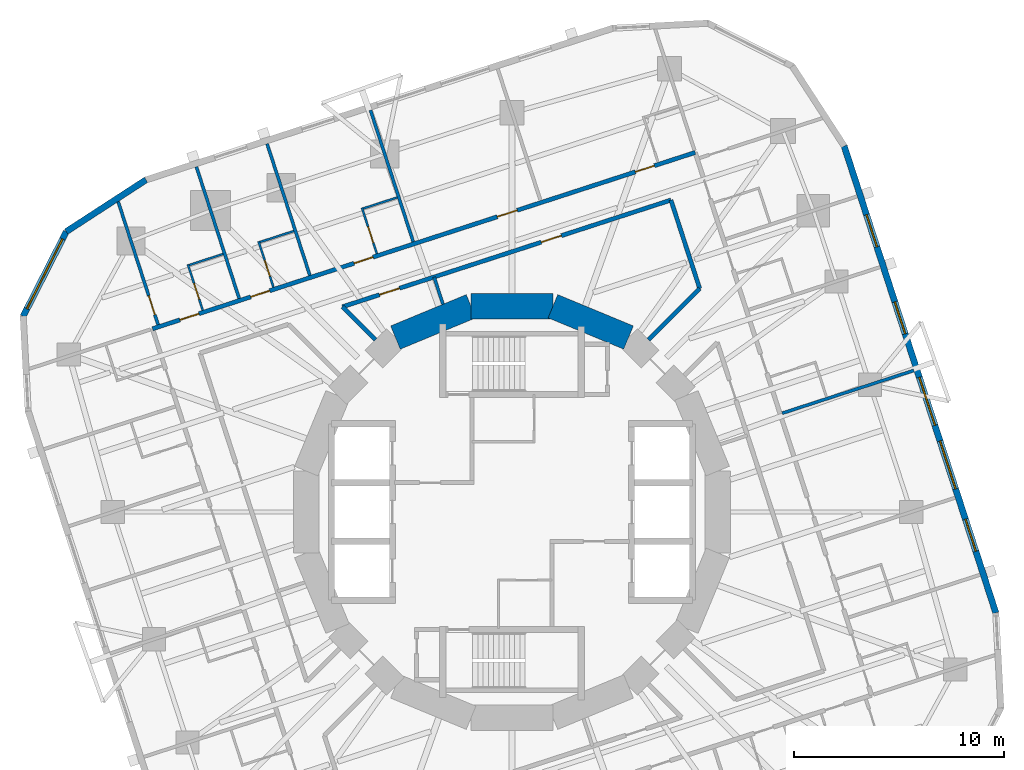
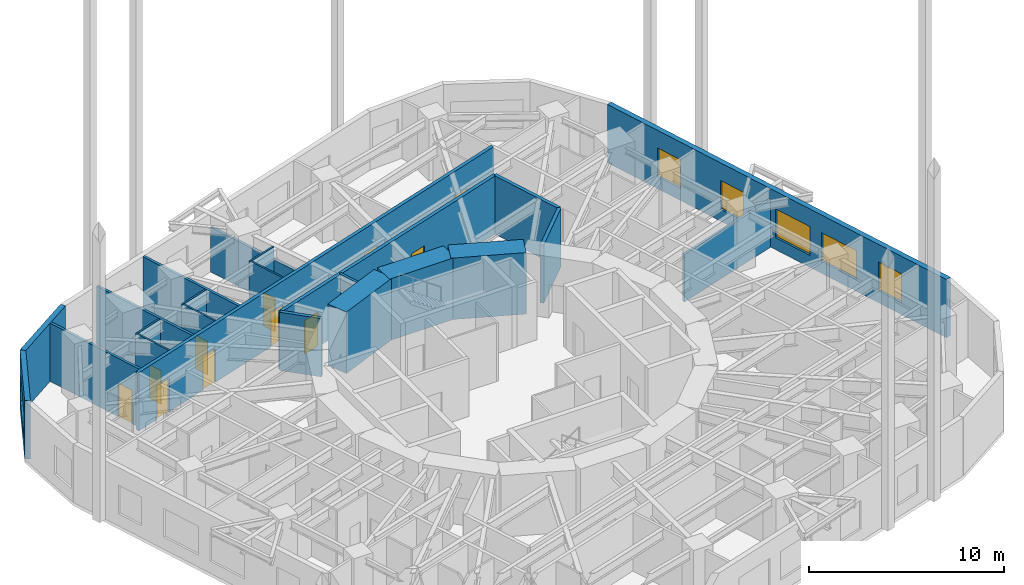
# One storey, part 8 of 10: 23 walls, 11 doors, 6 windows, 17 openings.
"""IFC4 building model written with IfcOpenShell, lengths in metres."""

from ifc_helpers import new_model, si_unit, direction, frame, frame_2d, origin, place, context, subcontext, project, spatial, rectangle, extrude, material, layer, layer_set, type_object, element, fill, save


model = new_model("IFC4")

# Units and contexts
model_context = context("Model", 3, precision=1e-05, world=origin(), true_north=direction((0.0, 1.0)))
body_context = subcontext(model_context, "Body", "Model", "MODEL_VIEW")
ifc_project = project(units=[si_unit("LENGTHUNIT", "METRE"), si_unit("AREAUNIT", "SQUARE_METRE"), si_unit("VOLUMEUNIT", "CUBIC_METRE"), si_unit("PLANEANGLEUNIT", "RADIAN"), si_unit("MASSUNIT", "GRAM", prefix="KILO")], contexts=[model_context])

# Site, building, storey
site_placement = place(None, origin())
site = spatial("IfcSite", under=ifc_project, at=site_placement, CompositionType="ELEMENT")
building_placement = place(site_placement, origin())
building = spatial("IfcBuilding", under=site, at=building_placement, Name="Nakasero Lantern House", CompositionType="ELEMENT")
storey_placement = place(building_placement, frame((0.0, 0.0, 141.800048828125)))
storey = spatial("IfcBuildingStorey", under=building, at=storey_placement, Name="L34", CompositionType="ELEMENT", Elevation=141.800048828125)

# Walls
ifc_material_1 = material(Name="Concrete C50/60", Category="concrete")
ifc_layer_1 = layer(ifc_material_1, 1.199951171875)
ifc_layer_set_1 = layer_set([ifc_layer_1], Name="Core wall 1200")
wall_type_1 = type_object("IfcWallType", Name="Core wall 1200", PredefinedType="SHEAR", material=ifc_layer_set_1)
for number, where, z_axis, x_axis, name in (
    (1, (5.5556640625, 8.314697265625, 0.0), (0.0, 0.0, 1.0), (-0.923876507187, 0.382690736062, 0.0), "Core wall L34 facet 3"),
    (2, (1.950927734375, 9.807861328125, 0.0), (0.0, 0.0, 1.0), (-1.0, 0.0, 0.0), "Core wall L34 facet 4"),
    (3, (-1.950927734375, 9.807861328125, 0.0), (0.0, 0.0, 1.0), (-0.923876507187, -0.382690736062, 0.0), "Core wall L34 facet 5"),
):
    element("IfcWall", number, at=place(storey_placement, frame(where, z_axis=z_axis, x_axis=x_axis)), inside=storey, type_object=wall_type_1, Name=name, PredefinedType="SHEAR", context=body_context, shape_type="SweptSolid", body=[
        extrude(rectangle(XDim=3.90185546875, YDim=1.199951171875, at=frame_2d((1.950927734375, 0.0))), origin(), (0.0, 0.0, 1.0), 3.849853515625),
    ])

# Wall, openings, doors
ifc_material_2 = material(Name="Blockwork", Category="masonry")
ifc_layer_2 = layer(ifc_material_2, 0.199951171875)
ifc_layer_set_2 = layer_set([ifc_layer_2], Name="Corridor wall 200")
wall_type_2 = type_object("IfcWallType", Name="Corridor wall 200", PredefinedType="PARTITIONING", material=ifc_layer_set_2)
wall_1_placement = place(storey_placement, frame((8.731689453125, 17.136962890625, 0.0), z_axis=(0.0, 0.0, 1.0), x_axis=(-0.951056097323, -0.309018283835, 0.0)))
wall_1 = element("IfcWall", 4, at=wall_1_placement, inside=storey, type_object=wall_type_2, Name="Corridor wall L34 CW1", PredefinedType="PARTITIONING", context=body_context, shape_type="SweptSolid", body=[
    extrude(rectangle(XDim=27.199951171875, YDim=0.199951171875, at=frame_2d((13.60009765625, 0.0))), origin(), (0.0, 0.0, 1.0), 3.64990234375),
])
opening_1_placement = place(wall_1_placement, frame((2.050048828125, 0.0, 0.0)))
opening_1 = element("IfcOpeningElement", 5, at=opening_1_placement, cuts=wall_1, Name="Opening D01", PredefinedType="OPENING", context=body_context, shape_type="SweptSolid", body=[
    extrude(rectangle(XDim=0.949951171875, YDim=2.10009765625, at=frame_2d((0.47509765625, 1.050048828125))), frame((0.0, 0.119873046875, 0.0), z_axis=(0.0, -1.0, 0.0), x_axis=(1.0, 0.0, 0.0)), (0.0, 0.0, 1.0), 0.239990234375),
])
opening_2_placement = place(wall_1_placement, frame((16.14697265625, 0.0, 0.0)))
opening_2 = element("IfcOpeningElement", 6, at=opening_2_placement, cuts=wall_1, Name="Opening D01", PredefinedType="OPENING", context=body_context, shape_type="SweptSolid", body=[
    extrude(rectangle(XDim=0.949951171875, YDim=2.10009765625, at=frame_2d((0.47509765625, 1.050048828125))), frame((0.0, 0.119873046875, 0.0), z_axis=(0.0, -1.0, 0.0), x_axis=(1.0, 0.0, 0.0)), (0.0, 0.0, 1.0), 0.239990234375),
])
opening_3_placement = place(wall_1_placement, frame((21.328125, 0.0, 0.0)))
opening_3 = element("IfcOpeningElement", 7, at=opening_3_placement, cuts=wall_1, Name="Opening D01", PredefinedType="OPENING", context=body_context, shape_type="SweptSolid", body=[
    extrude(rectangle(XDim=0.949951171875, YDim=2.10009765625, at=frame_2d((0.47509765625, 1.050048828125))), frame((0.0, 0.119873046875, 0.0), z_axis=(0.0, -1.0, 0.0), x_axis=(1.0, 0.0, 0.0)), (0.0, 0.0, 1.0), 0.239990234375),
])
opening_4_placement = place(wall_1_placement, frame((24.872314453125, 0.0, 0.0)))
opening_4 = element("IfcOpeningElement", 8, at=opening_4_placement, cuts=wall_1, Name="Opening D01", PredefinedType="OPENING", context=body_context, shape_type="SweptSolid", body=[
    extrude(rectangle(XDim=0.949951171875, YDim=2.10009765625, at=frame_2d((0.47509765625, 1.050048828125))), frame((0.0, 0.119873046875, 0.0), z_axis=(0.0, -1.0, 0.0), x_axis=(1.0, 0.0, 0.0)), (0.0, 0.0, 1.0), 0.239990234375),
])
opening_5_placement = place(wall_1_placement, frame((8.9189453125, 0.0, 0.0)))
opening_5 = element("IfcOpeningElement", 9, at=opening_5_placement, cuts=wall_1, Name="Opening D03", PredefinedType="OPENING", context=body_context, shape_type="SweptSolid", body=[
    extrude(rectangle(XDim=1.0, YDim=2.10009765625, at=frame_2d((0.5, 1.050048828125))), frame((0.0, 0.119873046875, 0.0), z_axis=(0.0, -1.0, 0.0), x_axis=(1.0, 0.0, 0.0)), (0.0, 0.0, 1.0), 0.239990234375),
])
ifc_material_3 = material(Name="Timber C24", Category="wood")
door_type_1 = type_object("IfcDoorType", Name="Bedroom door FD30S 950", OperationType="SINGLE_SWING_LEFT", PredefinedType="DOOR", material=ifc_material_3)
door_1_placement = place(opening_1_placement, origin())
door_1 = element("IfcDoor", 10, at=door_1_placement, inside=storey, type_object=door_type_1, Name="Door L34 D1-00", OperationType="SINGLE_SWING_LEFT", OverallHeight=2.10009765625, OverallWidth=0.949951171875, PredefinedType="DOOR", context=body_context, shape_type="SweptSolid", body=[
    extrude(rectangle(XDim=0.949951171875, YDim=2.10009765625, at=frame_2d((0.47509765625, 1.050048828125))), frame((0.0, 0.02490234375, 0.0), z_axis=(0.0, -1.0, 0.0), x_axis=(1.0, 0.0, 0.0)), (0.0, 0.0, 1.0), 0.050048828125),
])
fill(opening_1, door_1)
door_2_placement = place(opening_2_placement, origin())
door_2 = element("IfcDoor", 11, at=door_2_placement, inside=storey, type_object=door_type_1, Name="Door L34 D1-04", OperationType="SINGLE_SWING_RIGHT", OverallHeight=2.10009765625, OverallWidth=0.949951171875, PredefinedType="DOOR", context=body_context, shape_type="SweptSolid", body=[
    extrude(rectangle(XDim=0.949951171875, YDim=2.10009765625, at=frame_2d((0.47509765625, 1.050048828125))), frame((0.0, 0.02490234375, 0.0), z_axis=(0.0, -1.0, 0.0), x_axis=(1.0, 0.0, 0.0)), (0.0, 0.0, 1.0), 0.050048828125),
])
fill(opening_2, door_2)
door_3_placement = place(opening_3_placement, origin())
door_3 = element("IfcDoor", 12, at=door_3_placement, inside=storey, type_object=door_type_1, Name="Door L34 D1-05", OperationType="SINGLE_SWING_RIGHT", OverallHeight=2.10009765625, OverallWidth=0.949951171875, PredefinedType="DOOR", context=body_context, shape_type="SweptSolid", body=[
    extrude(rectangle(XDim=0.949951171875, YDim=2.10009765625, at=frame_2d((0.47509765625, 1.050048828125))), frame((0.0, 0.02490234375, 0.0), z_axis=(0.0, -1.0, 0.0), x_axis=(1.0, 0.0, 0.0)), (0.0, 0.0, 1.0), 0.050048828125),
])
fill(opening_3, door_3)
door_4_placement = place(opening_4_placement, origin())
door_4 = element("IfcDoor", 13, at=door_4_placement, inside=storey, type_object=door_type_1, Name="Door L34 D1-06", OperationType="SINGLE_SWING_RIGHT", OverallHeight=2.10009765625, OverallWidth=0.949951171875, PredefinedType="DOOR", context=body_context, shape_type="SweptSolid", body=[
    extrude(rectangle(XDim=0.949951171875, YDim=2.10009765625, at=frame_2d((0.47509765625, 1.050048828125))), frame((0.0, 0.02490234375, 0.0), z_axis=(0.0, -1.0, 0.0), x_axis=(1.0, 0.0, 0.0)), (0.0, 0.0, 1.0), 0.050048828125),
])
fill(opening_4, door_4)
ifc_material_4 = material(Name="Timber C24", Category="wood")
door_type_2 = type_object("IfcDoorType", Name="Lounge door FD30S 1000", OperationType="SINGLE_SWING_LEFT", PredefinedType="DOOR", material=ifc_material_4)
door_5_placement = place(opening_5_placement, origin())
door_5 = element("IfcDoor", 14, at=door_5_placement, inside=storey, type_object=door_type_2, Name="Door L34 DK1", OperationType="SINGLE_SWING_LEFT", OverallHeight=2.10009765625, OverallWidth=1.0, PredefinedType="DOOR", context=body_context, shape_type="SweptSolid", body=[
    extrude(rectangle(XDim=1.0, YDim=2.10009765625, at=frame_2d((0.5, 1.050048828125))), frame((0.0, 0.02490234375, 0.0), z_axis=(0.0, -1.0, 0.0), x_axis=(1.0, 0.0, 0.0)), (0.0, 0.0, 1.0), 0.050048828125),
])
fill(opening_5, door_5)

# Wall
wall_2_placement = place(storey_placement, frame((8.9482421875, 10.6455078125, 0.0), z_axis=(0.0, 0.0, 1.0), x_axis=(-0.308977916351, 0.951069212627, 0.0)))
element("IfcWall", 15, at=wall_2_placement, inside=storey, type_object=wall_type_2, Name="Corridor wall L34 IW0-1", PredefinedType="PARTITIONING", context=body_context, shape_type="SweptSolid", body=[
    extrude(rectangle(XDim=4.440673828125, YDim=0.199951171875, at=frame_2d((2.22021484375, 0.0))), origin(), (0.0, 0.0, 1.0), 3.64990234375),
])

# Wall, openings, doors
wall_3_placement = place(storey_placement, frame((7.576171875, 14.868896484375, 0.0), z_axis=(0.0, 0.0, 1.0), x_axis=(-0.951057928473, -0.309012648104, 0.0)))
wall_3 = element("IfcWall", 16, at=wall_3_placement, inside=storey, type_object=wall_type_2, Name="Corridor wall L34 IW1-0", PredefinedType="PARTITIONING", context=body_context, shape_type="SweptSolid", body=[
    extrude(rectangle(XDim=16.4658203125, YDim=0.199951171875, at=frame_2d((8.23291015625, 0.0))), origin(), (0.0, 0.0, 1.0), 3.64990234375),
])
opening_6_placement = place(wall_3_placement, frame((5.49755859375, 0.0, 0.0)))
opening_6 = element("IfcOpeningElement", 17, at=opening_6_placement, cuts=wall_3, Name="Opening D07", PredefinedType="OPENING", context=body_context, shape_type="SweptSolid", body=[
    extrude(rectangle(XDim=1.0, YDim=2.10009765625, at=frame_2d((0.5, 1.050048828125))), frame((0.0, 0.119873046875, 0.0), z_axis=(0.0, -1.0, 0.0), x_axis=(1.0, 0.0, 0.0)), (0.0, 0.0, 1.0), 0.239990234375),
])
opening_7_placement = place(wall_3_placement, frame((13.605224609375, 0.0, 0.0)))
opening_7 = element("IfcOpeningElement", 18, at=opening_7_placement, cuts=wall_3, Name="Opening D07", PredefinedType="OPENING", context=body_context, shape_type="SweptSolid", body=[
    extrude(rectangle(XDim=1.0, YDim=2.10009765625, at=frame_2d((0.5, 1.050048828125))), frame((0.0, 0.119873046875, 0.0), z_axis=(0.0, -1.0, 0.0), x_axis=(1.0, 0.0, 0.0)), (0.0, 0.0, 1.0), 0.239990234375),
])
ifc_material_5 = material(Name="Timber C24", Category="wood")
door_type_3 = type_object("IfcDoorType", Name="Room door FD30S 1000", OperationType="SINGLE_SWING_LEFT", PredefinedType="DOOR", material=ifc_material_5)
door_6_placement = place(opening_6_placement, origin())
door_6 = element("IfcDoor", 19, at=door_6_placement, inside=storey, type_object=door_type_3, Name="Door L34 DI6", OperationType="SINGLE_SWING_LEFT", OverallHeight=2.10009765625, OverallWidth=1.0, PredefinedType="DOOR", context=body_context, shape_type="SweptSolid", body=[
    extrude(rectangle(XDim=1.0, YDim=2.10009765625, at=frame_2d((0.5, 1.050048828125))), frame((0.0, 0.02490234375, 0.0), z_axis=(0.0, -1.0, 0.0), x_axis=(1.0, 0.0, 0.0)), (0.0, 0.0, 1.0), 0.050048828125),
])
fill(opening_6, door_6)
door_7_placement = place(opening_7_placement, origin())
door_7 = element("IfcDoor", 20, at=door_7_placement, inside=storey, type_object=door_type_3, Name="Door L34 DI7", OperationType="SINGLE_SWING_RIGHT", OverallHeight=2.10009765625, OverallWidth=1.0, PredefinedType="DOOR", context=body_context, shape_type="SweptSolid", body=[
    extrude(rectangle(XDim=1.0, YDim=2.10009765625, at=frame_2d((0.5, 1.050048828125))), frame((0.0, 0.02490234375, 0.0), z_axis=(0.0, -1.0, 0.0), x_axis=(1.0, 0.0, 0.0)), (0.0, 0.0, 1.0), 0.050048828125),
])
fill(opening_7, door_7)

# Walls
wall_4_placement = place(storey_placement, frame((6.510986328125, 8.2080078125, 0.0), z_axis=(0.0, 0.0, 1.0), x_axis=(0.707071366528, 0.707142194071, 0.0)))
element("IfcWall", 21, at=wall_4_placement, inside=storey, type_object=wall_type_2, Name="Corridor wall L34 PS02a", PredefinedType="PARTITIONING", context=body_context, shape_type="SweptSolid", body=[
    extrude(rectangle(XDim=3.447021484375, YDim=0.199951171875, at=frame_2d((1.7236328125, 0.0))), origin(), (0.0, 0.0, 1.0), 3.64990234375),
])
wall_5_placement = place(storey_placement, frame((-6.510986328125, 8.2080078125, 0.0), z_axis=(0.0, 0.0, 1.0), x_axis=(-0.707106781187, 0.707106781187, 0.0)))
element("IfcWall", 22, at=wall_5_placement, inside=storey, type_object=wall_type_2, Name="Corridor wall L34 PS06b", PredefinedType="PARTITIONING", context=body_context, shape_type="SweptSolid", body=[
    extrude(rectangle(XDim=2.22412109375, YDim=0.199951171875, at=frame_2d((1.112060546875, 0.0))), origin(), (0.0, 0.0, 1.0), 3.64990234375),
])

# Wall, opening, door
ifc_material_6 = material(Name="Blockwork", Category="masonry")
ifc_layer_3 = layer(ifc_material_6, 0.10009765625)
ifc_layer_set_3 = layer_set([ifc_layer_3], Name="En-suite wall 100")
wall_type_3 = type_object("IfcWallType", Name="En-suite wall 100", PredefinedType="PARTITIONING", material=ifc_layer_set_3)
wall_6_placement = place(storey_placement, frame((-6.44189453125, 12.31201171875, 0.0), z_axis=(0.0, 0.0, 1.0), x_axis=(-0.309021261611, 0.951055129775, 0.0)))
wall_6 = element("IfcWall", 23, at=wall_6_placement, inside=storey, type_object=wall_type_3, Name="En-suite wall L34 ES1-04", PredefinedType="PARTITIONING", context=body_context, shape_type="SweptSolid", body=[
    extrude(rectangle(XDim=2.2998046875, YDim=0.10009765625, at=frame_2d((1.14990234375, 0.0))), origin(), (0.0, 0.0, 1.0), 3.64990234375),
])
opening_8_placement = place(wall_6_placement, frame((0.550048828125, 0.0, 0.0)))
opening_8 = element("IfcOpeningElement", 24, at=opening_8_placement, cuts=wall_6, Name="Opening D02", PredefinedType="OPENING", context=body_context, shape_type="SweptSolid", body=[
    extrude(rectangle(XDim=0.800048828125, YDim=2.10009765625, at=frame_2d((0.39990234375, 1.050048828125))), frame((0.0, 0.070068359375, 0.0), z_axis=(0.0, -1.0, 0.0), x_axis=(1.0, 0.0, 0.0)), (0.0, 0.0, 1.0), 0.14013671875),
])
ifc_material_7 = material(Name="Timber C24", Category="wood")
door_type_4 = type_object("IfcDoorType", Name="En-suite door 800", OperationType="SINGLE_SWING_RIGHT", PredefinedType="DOOR", material=ifc_material_7)
door_8_placement = place(opening_8_placement, origin())
door_8 = element("IfcDoor", 25, at=door_8_placement, inside=storey, type_object=door_type_4, Name="Door L34 DE1-04", OperationType="SINGLE_SWING_LEFT", OverallHeight=2.10009765625, OverallWidth=0.800048828125, PredefinedType="DOOR", context=body_context, shape_type="SweptSolid", body=[
    extrude(rectangle(XDim=0.800048828125, YDim=2.10009765625, at=frame_2d((0.39990234375, 1.050048828125))), frame((0.0, 0.02490234375, 0.0), z_axis=(0.0, -1.0, 0.0), x_axis=(1.0, 0.0, 0.0)), (0.0, 0.0, 1.0), 0.050048828125),
])
fill(opening_8, door_8)

# Wall
wall_7_placement = place(storey_placement, frame((-5.472900390625, 14.99267578125, 0.0), z_axis=(0.0, 0.0, 1.0), x_axis=(-0.951040401051, -0.309066587596, 0.0)))
element("IfcWall", 26, at=wall_7_placement, inside=storey, type_object=wall_type_3, Name="En-suite wall L34 EE1-04", PredefinedType="PARTITIONING", context=body_context, shape_type="SweptSolid", body=[
    extrude(rectangle(XDim=1.699951171875, YDim=0.10009765625, at=frame_2d((0.85009765625, 0.0))), origin(), (0.0, 0.0, 1.0), 3.64990234375),
])

# Wall, opening, door
wall_8_placement = place(storey_placement, frame((-11.369384765625, 10.7109375, 0.0), z_axis=(0.0, 0.0, 1.0), x_axis=(-0.309021261611, 0.951055129775, 0.0)))
wall_8 = element("IfcWall", 27, at=wall_8_placement, inside=storey, type_object=wall_type_3, Name="En-suite wall L34 ES1-05", PredefinedType="PARTITIONING", context=body_context, shape_type="SweptSolid", body=[
    extrude(rectangle(XDim=2.2998046875, YDim=0.10009765625, at=frame_2d((1.14990234375, 0.0))), origin(), (0.0, 0.0, 1.0), 3.64990234375),
])
opening_9_placement = place(wall_8_placement, frame((0.550048828125, 0.0, 0.0)))
opening_9 = element("IfcOpeningElement", 28, at=opening_9_placement, cuts=wall_8, Name="Opening D02", PredefinedType="OPENING", context=body_context, shape_type="SweptSolid", body=[
    extrude(rectangle(XDim=0.800048828125, YDim=2.10009765625, at=frame_2d((0.39990234375, 1.050048828125))), frame((0.0, 0.070068359375, 0.0), z_axis=(0.0, -1.0, 0.0), x_axis=(1.0, 0.0, 0.0)), (0.0, 0.0, 1.0), 0.14013671875),
])
door_9_placement = place(opening_9_placement, origin())
door_9 = element("IfcDoor", 29, at=door_9_placement, inside=storey, type_object=door_type_4, Name="Door L34 DE1-05", OperationType="SINGLE_SWING_LEFT", OverallHeight=2.10009765625, OverallWidth=0.800048828125, PredefinedType="DOOR", context=body_context, shape_type="SweptSolid", body=[
    extrude(rectangle(XDim=0.800048828125, YDim=2.10009765625, at=frame_2d((0.39990234375, 1.050048828125))), frame((0.0, 0.02490234375, 0.0), z_axis=(0.0, -1.0, 0.0), x_axis=(1.0, 0.0, 0.0)), (0.0, 0.0, 1.0), 0.050048828125),
])
fill(opening_9, door_9)

# Wall
wall_9_placement = place(storey_placement, frame((-10.400390625, 13.3916015625, 0.0), z_axis=(0.0, 0.0, 1.0), x_axis=(-0.951040401051, -0.309066587596, 0.0)))
element("IfcWall", 30, at=wall_9_placement, inside=storey, type_object=wall_type_3, Name="En-suite wall L34 EE1-05", PredefinedType="PARTITIONING", context=body_context, shape_type="SweptSolid", body=[
    extrude(rectangle(XDim=1.699951171875, YDim=0.10009765625, at=frame_2d((0.85009765625, 0.0))), origin(), (0.0, 0.0, 1.0), 3.64990234375),
])

# Wall, opening, door
wall_10_placement = place(storey_placement, frame((-14.740234375, 9.61572265625, 0.0), z_axis=(0.0, 0.0, 1.0), x_axis=(-0.309021261611, 0.951055129775, 0.0)))
wall_10 = element("IfcWall", 31, at=wall_10_placement, inside=storey, type_object=wall_type_3, Name="En-suite wall L34 ES1-06", PredefinedType="PARTITIONING", context=body_context, shape_type="SweptSolid", body=[
    extrude(rectangle(XDim=2.2998046875, YDim=0.10009765625, at=frame_2d((1.14990234375, 0.0))), origin(), (0.0, 0.0, 1.0), 3.64990234375),
])
opening_10_placement = place(wall_10_placement, frame((0.550048828125, 0.0, 0.0)))
opening_10 = element("IfcOpeningElement", 32, at=opening_10_placement, cuts=wall_10, Name="Opening D02", PredefinedType="OPENING", context=body_context, shape_type="SweptSolid", body=[
    extrude(rectangle(XDim=0.800048828125, YDim=2.10009765625, at=frame_2d((0.39990234375, 1.050048828125))), frame((0.0, 0.070068359375, 0.0), z_axis=(0.0, -1.0, 0.0), x_axis=(1.0, 0.0, 0.0)), (0.0, 0.0, 1.0), 0.14013671875),
])
door_10_placement = place(opening_10_placement, origin())
door_10 = element("IfcDoor", 33, at=door_10_placement, inside=storey, type_object=door_type_4, Name="Door L34 DE1-06", OperationType="SINGLE_SWING_LEFT", OverallHeight=2.10009765625, OverallWidth=0.800048828125, PredefinedType="DOOR", context=body_context, shape_type="SweptSolid", body=[
    extrude(rectangle(XDim=0.800048828125, YDim=2.10009765625, at=frame_2d((0.39990234375, 1.050048828125))), frame((0.0, 0.02490234375, 0.0), z_axis=(0.0, -1.0, 0.0), x_axis=(1.0, 0.0, 0.0)), (0.0, 0.0, 1.0), 0.050048828125),
])
fill(opening_10, door_10)

# Wall
wall_11_placement = place(storey_placement, frame((-13.771240234375, 12.29638671875, 0.0), z_axis=(0.0, 0.0, 1.0), x_axis=(-0.951040401051, -0.309066587596, 0.0)))
element("IfcWall", 34, at=wall_11_placement, inside=storey, type_object=wall_type_3, Name="En-suite wall L34 EE1-06", PredefinedType="PARTITIONING", context=body_context, shape_type="SweptSolid", body=[
    extrude(rectangle(XDim=1.699951171875, YDim=0.10009765625, at=frame_2d((0.85009765625, 0.0))), origin(), (0.0, 0.0, 1.0), 3.64990234375),
])

# Wall, openings, windows
ifc_material_8 = material(Name="Aluminium rainscreen on blockwork", Category="masonry")
ifc_layer_4 = layer(ifc_material_8, 0.300048828125)
ifc_layer_set_4 = layer_set([ifc_layer_4], Name="Facade wall 300")
wall_type_4 = type_object("IfcWallType", Name="Facade wall 300", PredefinedType="SOLIDWALL", material=ifc_layer_set_4)
wall_12_placement = place(storey_placement, frame((23.064697265625, -4.807861328125, 0.0), z_axis=(0.0, 0.0, 1.0), x_axis=(-0.30902591324, 0.951053618334, 0.0)))
wall_12 = element("IfcWall", 35, at=wall_12_placement, inside=storey, type_object=wall_type_4, Name="Facade wall L34 FW0S", PredefinedType="SOLIDWALL", context=body_context, shape_type="SweptSolid", body=[
    extrude(rectangle(XDim=23.39990234375, YDim=0.300048828125, at=frame_2d((11.699951171875, 0.0))), origin(), (0.0, 0.0, 1.0), 3.64990234375),
])
opening_11_placement = place(wall_12_placement, frame((3.089111328125, 0.0, 0.75)))
opening_11 = element("IfcOpeningElement", 36, at=opening_11_placement, cuts=wall_12, Name="Opening W01", PredefinedType="OPENING", context=body_context, shape_type="SweptSolid", body=[
    extrude(rectangle(XDim=1.60009765625, YDim=1.800048828125, at=frame_2d((0.800048828125, 0.89990234375))), frame((0.0, 0.169921875, 0.0), z_axis=(0.0, -1.0, 0.0), x_axis=(1.0, 0.0, 0.0)), (0.0, 0.0, 1.0), 0.340087890625),
])
opening_12_placement = place(wall_12_placement, frame((13.987548828125, 0.0, 0.75)))
opening_12 = element("IfcOpeningElement", 37, at=opening_12_placement, cuts=wall_12, Name="Opening W01", PredefinedType="OPENING", context=body_context, shape_type="SweptSolid", body=[
    extrude(rectangle(XDim=1.60009765625, YDim=1.800048828125, at=frame_2d((0.800048828125, 0.89990234375))), frame((0.0, 0.169921875, 0.0), z_axis=(0.0, -1.0, 0.0), x_axis=(1.0, 0.0, 0.0)), (0.0, 0.0, 1.0), 0.340087890625),
])
opening_13_placement = place(wall_12_placement, frame((18.350341796875, 0.0, 0.75)))
opening_13 = element("IfcOpeningElement", 38, at=opening_13_placement, cuts=wall_12, Name="Opening W01", PredefinedType="OPENING", context=body_context, shape_type="SweptSolid", body=[
    extrude(rectangle(XDim=1.60009765625, YDim=1.800048828125, at=frame_2d((0.800048828125, 0.89990234375))), frame((0.0, 0.169921875, 0.0), z_axis=(0.0, -1.0, 0.0), x_axis=(1.0, 0.0, 0.0)), (0.0, 0.0, 1.0), 0.340087890625),
])
opening_14_placement = place(wall_12_placement, frame((6.21337890625, 0.0, 0.75)))
opening_14 = element("IfcOpeningElement", 39, at=opening_14_placement, cuts=wall_12, Name="Opening W03", PredefinedType="OPENING", context=body_context, shape_type="SweptSolid", body=[
    extrude(rectangle(XDim=2.39990234375, YDim=1.800048828125, at=frame_2d((1.199951171875, 0.89990234375))), frame((0.0, 0.169921875, 0.0), z_axis=(0.0, -1.0, 0.0), x_axis=(1.0, 0.0, 0.0)), (0.0, 0.0, 1.0), 0.340087890625),
])
opening_15_placement = place(wall_12_placement, frame((9.402587890625, 0.0, 0.75)))
opening_15 = element("IfcOpeningElement", 40, at=opening_15_placement, cuts=wall_12, Name="Opening W03", PredefinedType="OPENING", context=body_context, shape_type="SweptSolid", body=[
    extrude(rectangle(XDim=2.39990234375, YDim=1.800048828125, at=frame_2d((1.199951171875, 0.89990234375))), frame((0.0, 0.169921875, 0.0), z_axis=(0.0, -1.0, 0.0), x_axis=(1.0, 0.0, 0.0)), (0.0, 0.0, 1.0), 0.340087890625),
])
ifc_material_9 = material(Name="Aluminium 6063-T6 and glass", Category="aluminium")
window_type_1 = type_object("IfcWindowType", Name="Bedroom window 1600x1800", PartitioningType="SINGLE_PANEL", PredefinedType="WINDOW", material=ifc_material_9)
window_1_placement = place(opening_11_placement, origin())
window_1 = element("IfcWindow", 41, at=window_1_placement, inside=storey, type_object=window_type_1, Name="Window L34 WN0-01", OverallHeight=1.800048828125, OverallWidth=1.60009765625, PartitioningType="SINGLE_PANEL", PredefinedType="WINDOW", context=body_context, shape_type="SweptSolid", body=[
    extrude(rectangle(XDim=1.60009765625, YDim=1.800048828125, at=frame_2d((0.800048828125, 0.89990234375))), frame((0.0, 0.030029296875, 0.0), z_axis=(0.0, -1.0, 0.0), x_axis=(1.0, 0.0, 0.0)), (0.0, 0.0, 1.0), 0.06005859375),
])
fill(opening_11, window_1)
window_2_placement = place(opening_12_placement, origin())
window_2 = element("IfcWindow", 42, at=window_2_placement, inside=storey, type_object=window_type_1, Name="Window L34 WN0-04", OverallHeight=1.800048828125, OverallWidth=1.60009765625, PartitioningType="SINGLE_PANEL", PredefinedType="WINDOW", context=body_context, shape_type="SweptSolid", body=[
    extrude(rectangle(XDim=1.60009765625, YDim=1.800048828125, at=frame_2d((0.800048828125, 0.89990234375))), frame((0.0, 0.030029296875, 0.0), z_axis=(0.0, -1.0, 0.0), x_axis=(1.0, 0.0, 0.0)), (0.0, 0.0, 1.0), 0.06005859375),
])
fill(opening_12, window_2)
window_3_placement = place(opening_13_placement, origin())
window_3 = element("IfcWindow", 43, at=window_3_placement, inside=storey, type_object=window_type_1, Name="Window L34 WN0-05", OverallHeight=1.800048828125, OverallWidth=1.60009765625, PartitioningType="SINGLE_PANEL", PredefinedType="WINDOW", context=body_context, shape_type="SweptSolid", body=[
    extrude(rectangle(XDim=1.60009765625, YDim=1.800048828125, at=frame_2d((0.800048828125, 0.89990234375))), frame((0.0, 0.030029296875, 0.0), z_axis=(0.0, -1.0, 0.0), x_axis=(1.0, 0.0, 0.0)), (0.0, 0.0, 1.0), 0.06005859375),
])
fill(opening_13, window_3)
ifc_material_10 = material(Name="Aluminium 6063-T6 and glass", Category="aluminium")
window_type_2 = type_object("IfcWindowType", Name="Lounge window 2400x1800", PartitioningType="SINGLE_PANEL", PredefinedType="WINDOW", material=ifc_material_10)
window_4_placement = place(opening_14_placement, origin())
window_4 = element("IfcWindow", 44, at=window_4_placement, inside=storey, type_object=window_type_2, Name="Window L34 WK0", OverallHeight=1.800048828125, OverallWidth=2.39990234375, PartitioningType="SINGLE_PANEL", PredefinedType="WINDOW", context=body_context, shape_type="SweptSolid", body=[
    extrude(rectangle(XDim=2.39990234375, YDim=1.800048828125, at=frame_2d((1.199951171875, 0.89990234375))), frame((0.0, 0.030029296875, 0.0), z_axis=(0.0, -1.0, 0.0), x_axis=(1.0, 0.0, 0.0)), (0.0, 0.0, 1.0), 0.06005859375),
])
fill(opening_14, window_4)
window_5_placement = place(opening_15_placement, origin())
window_5 = element("IfcWindow", 45, at=window_5_placement, inside=storey, type_object=window_type_2, Name="Window L34 WL0", OverallHeight=1.800048828125, OverallWidth=2.39990234375, PartitioningType="SINGLE_PANEL", PredefinedType="WINDOW", context=body_context, shape_type="SweptSolid", body=[
    extrude(rectangle(XDim=2.39990234375, YDim=1.800048828125, at=frame_2d((1.199951171875, 0.89990234375))), frame((0.0, 0.030029296875, 0.0), z_axis=(0.0, -1.0, 0.0), x_axis=(1.0, 0.0, 0.0)), (0.0, 0.0, 1.0), 0.06005859375),
])
fill(opening_15, window_5)

# Wall
wall_13_placement = place(storey_placement, frame((-17.44677734375, 15.83349609375, 0.0), z_axis=(0.0, 0.0, 1.0), x_axis=(-0.838673836229, -0.544634002266, 0.0)))
element("IfcWall", 46, at=wall_13_placement, inside=storey, type_object=wall_type_4, Name="Facade wall L34 FW1C1", PredefinedType="SOLIDWALL", context=body_context, shape_type="SweptSolid", body=[
    extrude(rectangle(XDim=4.529296875, YDim=0.300048828125, at=frame_2d((2.2646484375, 0.0))), origin(), (0.0, 0.0, 1.0), 3.64990234375),
])

# Wall, opening, window
wall_14_placement = place(storey_placement, frame((-21.245361328125, 13.36669921875, 0.0), z_axis=(0.0, 0.0, 1.0), x_axis=(-0.454013792196, -0.890994655705, 0.0)))
wall_14 = element("IfcWall", 47, at=wall_14_placement, inside=storey, type_object=wall_type_4, Name="Facade wall L34 FW1C2", PredefinedType="SOLIDWALL", context=body_context, shape_type="SweptSolid", body=[
    extrude(rectangle(XDim=4.529296875, YDim=0.300048828125, at=frame_2d((2.2646484375, 0.0))), origin(), (0.0, 0.0, 1.0), 3.64990234375),
])
opening_16_placement = place(wall_14_placement, frame((0.39990234375, 0.0, 0.75)))
opening_16 = element("IfcOpeningElement", 48, at=opening_16_placement, cuts=wall_14, Name="Opening W237A", PredefinedType="OPENING", context=body_context, shape_type="SweptSolid", body=[
    extrude(rectangle(XDim=3.72900390625, YDim=1.800048828125, at=frame_2d((1.864501953125, 0.89990234375))), frame((0.0, 0.169921875, 0.0), z_axis=(0.0, -1.0, 0.0), x_axis=(1.0, 0.0, 0.0)), (0.0, 0.0, 1.0), 0.340087890625),
])
ifc_material_11 = material(Name="Aluminium 6063-T6 and glass", Category="aluminium")
window_type_3 = type_object("IfcWindowType", Name="Corner window 3729x1800", PartitioningType="SINGLE_PANEL", PredefinedType="WINDOW", material=ifc_material_11)
window_6_placement = place(opening_16_placement, origin())
window_6 = element("IfcWindow", 49, at=window_6_placement, inside=storey, type_object=window_type_3, Name="Window L34 WC1", OverallHeight=1.800048828125, OverallWidth=3.72900390625, PartitioningType="SINGLE_PANEL", PredefinedType="WINDOW", context=body_context, shape_type="SweptSolid", body=[
    extrude(rectangle(XDim=3.72900390625, YDim=1.800048828125, at=frame_2d((1.864501953125, 0.89990234375))), frame((0.0, 0.030029296875, 0.0), z_axis=(0.0, -1.0, 0.0), x_axis=(1.0, 0.0, 0.0)), (0.0, 0.0, 1.0), 0.06005859375),
])
fill(opening_16, window_6)

# Walls
ifc_material_12 = material(Name="Blockwork", Category="masonry")
ifc_layer_5 = layer(ifc_material_12, 0.14990234375)
ifc_layer_set_5 = layer_set([ifc_layer_5], Name="Party wall 150")
wall_type_5 = type_object("IfcWallType", Name="Party wall 150", PredefinedType="PARTITIONING", material=ifc_layer_set_5)
wall_15_placement = place(storey_placement, frame((12.8759765625, 4.706298828125, 0.0), z_axis=(0.0, 0.0, 1.0), x_axis=(0.951053095941, 0.309027520945, 0.0)))
element("IfcWall", 50, at=wall_15_placement, inside=storey, type_object=wall_type_5, Name="Party wall L34 PW0-04", PredefinedType="PARTITIONING", context=body_context, shape_type="SweptSolid", body=[
    extrude(rectangle(XDim=6.599853515625, YDim=0.14990234375, at=frame_2d((3.2998046875, 0.0))), origin(), (0.0, 0.0, 1.0), 2.966552734375),
])
wall_16_placement = place(storey_placement, frame((-4.706298828125, 12.8759765625, 0.0), z_axis=(0.0, 0.0, 1.0), x_axis=(-0.309027520945, 0.951053095941, 0.0)))
element("IfcWall", 51, at=wall_16_placement, inside=storey, type_object=wall_type_5, Name="Party wall L34 PW1-04", PredefinedType="PARTITIONING", context=body_context, shape_type="SweptSolid", body=[
    extrude(rectangle(XDim=6.599853515625, YDim=0.14990234375, at=frame_2d((3.2998046875, 0.0))), origin(), (0.0, 0.0, 1.0), 2.809326171875),
])
for number, where, z_axis, x_axis, name in (
    (52, (-9.6337890625, 11.27490234375, 0.0), (0.0, 0.0, 1.0), (-0.309027520945, 0.951053095941, 0.0), "Party wall L34 PW1-05"),
    (53, (-13.004638671875, 10.1796875, 0.0), (0.0, 0.0, 1.0), (-0.309027520945, 0.951053095941, 0.0), "Party wall L34 PW1-06"),
):
    element("IfcWall", number, at=place(storey_placement, frame(where, z_axis=z_axis, x_axis=x_axis)), inside=storey, type_object=wall_type_5, Name=name, PredefinedType="PARTITIONING", context=body_context, shape_type="SweptSolid", body=[
        extrude(rectangle(XDim=6.599853515625, YDim=0.14990234375, at=frame_2d((3.2998046875, 0.0))), origin(), (0.0, 0.0, 1.0), 3.64990234375),
    ])

# Wall, opening, door
wall_17_placement = place(storey_placement, frame((-16.8662109375, 8.9248046875, 0.0), z_axis=(0.0, 0.0, 1.0), x_axis=(-0.309031452366, 0.951051818488, 0.0)))
wall_17 = element("IfcWall", 54, at=wall_17_placement, inside=storey, type_object=wall_type_5, Name="Party wall L34 PC1", PredefinedType="PARTITIONING", context=body_context, shape_type="SweptSolid", body=[
    extrude(rectangle(XDim=6.165283203125, YDim=0.14990234375, at=frame_2d((3.08251953125, 0.0))), origin(), (0.0, 0.0, 1.0), 3.64990234375),
])
opening_17_placement = place(wall_17_placement, frame((0.5, 0.0, 0.0)))
opening_17 = element("IfcOpeningElement", 55, at=opening_17_placement, cuts=wall_17, Name="Opening D01", PredefinedType="OPENING", context=body_context, shape_type="SweptSolid", body=[
    extrude(rectangle(XDim=0.949951171875, YDim=2.10009765625, at=frame_2d((0.47509765625, 1.050048828125))), frame((0.0, 0.094970703125, 0.0), z_axis=(0.0, -1.0, 0.0), x_axis=(1.0, 0.0, 0.0)), (0.0, 0.0, 1.0), 0.18994140625),
])
door_11_placement = place(opening_17_placement, origin())
door_11 = element("IfcDoor", 56, at=door_11_placement, inside=storey, type_object=door_type_1, Name="Door L34 DC1", OperationType="SINGLE_SWING_LEFT", OverallHeight=2.10009765625, OverallWidth=0.949951171875, PredefinedType="DOOR", context=body_context, shape_type="SweptSolid", body=[
    extrude(rectangle(XDim=0.949951171875, YDim=2.10009765625, at=frame_2d((0.47509765625, 1.050048828125))), frame((0.0, 0.02490234375, 0.0), z_axis=(0.0, -1.0, 0.0), x_axis=(1.0, 0.0, 0.0)), (0.0, 0.0, 1.0), 0.050048828125),
])
fill(opening_17, door_11)

# Wall
wall_18_placement = place(storey_placement, frame((-3.712890625, 11.200927734375, 0.0), z_axis=(0.0, 0.0, 1.0), x_axis=(0.308924371384, -0.951086606343, 0.0)))
element("IfcWall", 57, at=wall_18_placement, inside=storey, type_object=wall_type_5, Name="Party wall L34 IM1", PredefinedType="PARTITIONING", context=body_context, shape_type="SweptSolid", body=[
    extrude(rectangle(XDim=1.36572265625, YDim=0.14990234375, at=frame_2d((0.682861328125, 0.0))), origin(), (0.0, 0.0, 1.0), 3.64990234375),
])

save(model, "model.ifc")
